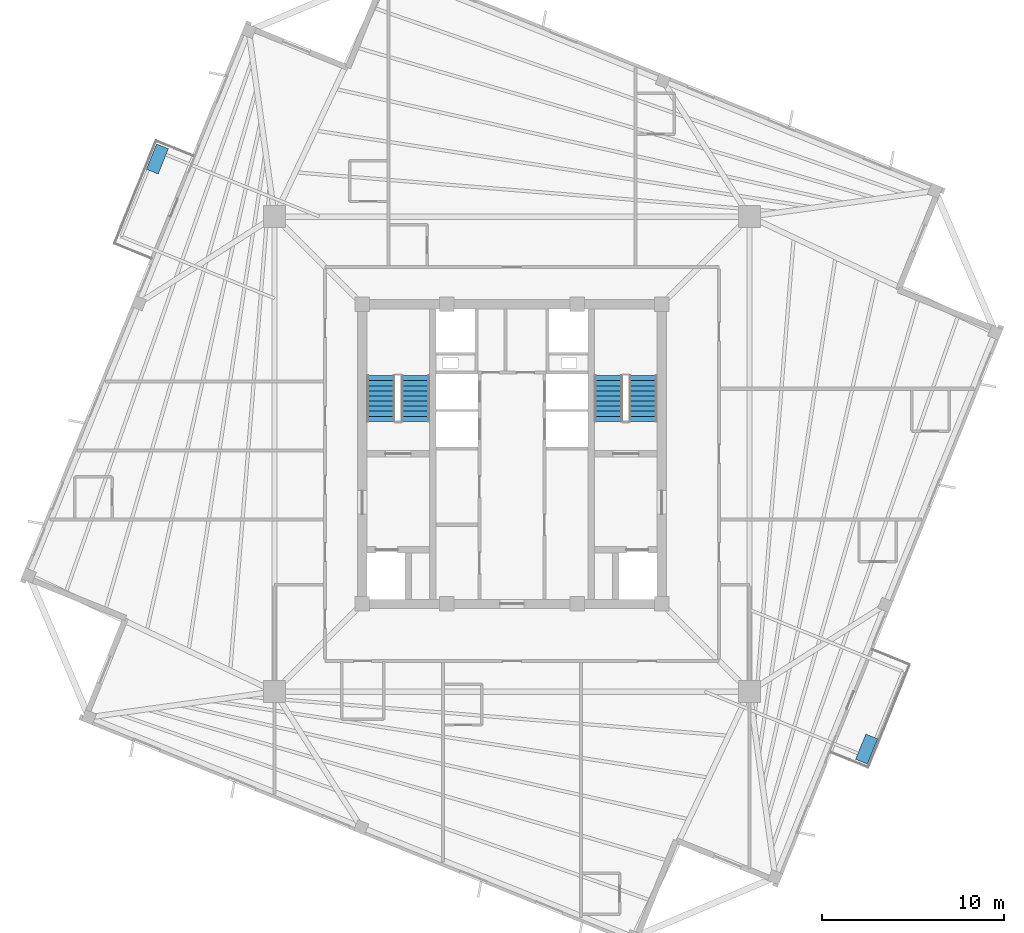
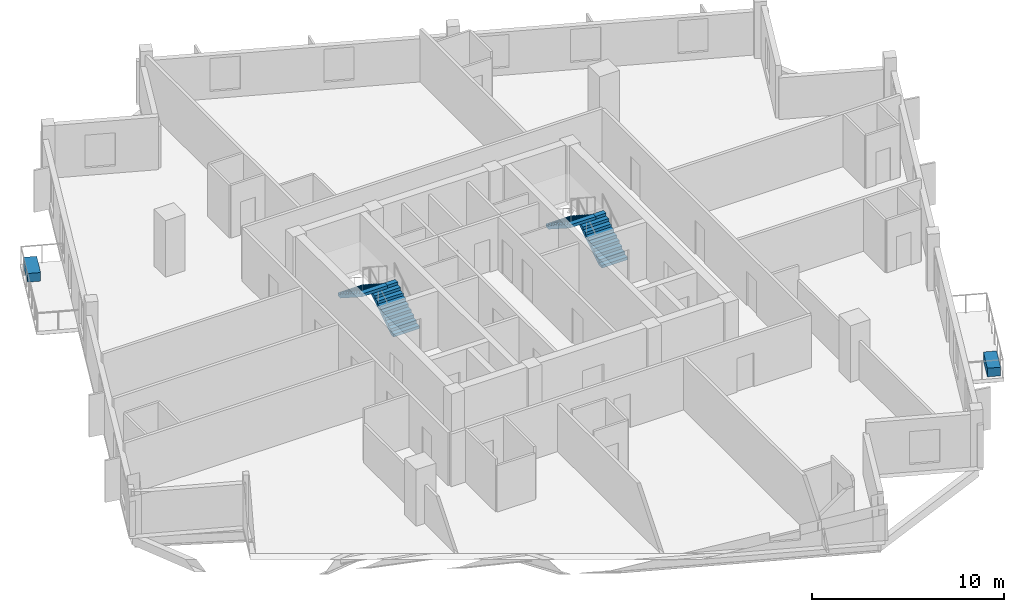
# One storey, part 6 of 9: 4 stair flights, 2 discrete accessories, 2 elements without a shape of their own.
"""IFC4 building model written with IfcOpenShell, lengths in metres."""

from ifc_helpers import new_model, si_unit, direction, frame, origin, origin_2d, place, context, subcontext, project, spatial, polyline, rectangle, outline, extrude, source, transform, mapped, material, type_object, element, aggregate, save


model = new_model("IFC4")

# Units and contexts
model_context = context("Model", 3, precision=1e-05, world=origin(), true_north=direction((0.0, 1.0)))
body_context = subcontext(model_context, "Body", "Model", "MODEL_VIEW")
ifc_project = project(units=[si_unit("LENGTHUNIT", "METRE"), si_unit("AREAUNIT", "SQUARE_METRE"), si_unit("VOLUMEUNIT", "CUBIC_METRE"), si_unit("PLANEANGLEUNIT", "RADIAN"), si_unit("MASSUNIT", "GRAM", prefix="KILO"), si_unit("THERMODYNAMICTEMPERATUREUNIT", "KELVIN")], contexts=[model_context])

# Site, building, storey
site_placement = place(None, origin())
site = spatial("IfcSite", under=ifc_project, at=site_placement, CompositionType="ELEMENT")
building_placement = place(site_placement, origin())
building = spatial("IfcBuilding", under=site, at=building_placement, Name="Kosmvard Interchange Tower", CompositionType="ELEMENT")
storey_placement = place(building_placement, frame((0.0, 0.0, 272.39990234375)))
storey = spatial("IfcBuildingStorey", under=building, at=storey_placement, Name="L66", CompositionType="ELEMENT", Elevation=272.39990234375)

# Stair, stair flights
ifc_material_1 = material(Name="Concrete C50/60", Category="concrete")
stair_type = type_object("IfcStairType", Name="Dog-Leg Core Exit Stair H3600 C50/60", PredefinedType="HALF_TURN_STAIR", material=ifc_material_1)
stair_1_placement = place(storey_placement, origin())
stair_1 = element("IfcStair", 1, at=stair_1_placement, inside=storey, type_object=stair_type, Name="L66 Protected Exit Stair ST-1", PredefinedType="HALF_TURN_STAIR")
stair_flight_type = type_object("IfcStairFlightType", Name="Core Stair Flight W1550 H3600 C50/60", PredefinedType="STRAIGHT", material=ifc_material_1)
shared_shape_1 = source(origin(), body_context, "Body", "SweptSolid", [
    extrude(outline(polyline([(0.0, 0.0), (0.0, 0.179931640625), (0.280029296875, 0.179931640625), (0.280029296875, 0.360107421875), (0.56005859375, 0.360107421875), (0.56005859375, 0.5400390625), (0.840087890625, 0.5400390625), (0.840087890625, 0.719970703125), (1.1201171875, 0.719970703125), (1.1201171875, 0.89990234375), (1.39990234375, 0.89990234375), (1.39990234375, 1.080078125), (1.679931640625, 1.080078125), (1.679931640625, 1.260009765625), (1.9599609375, 1.260009765625), (1.9599609375, 1.43994140625), (2.239990234375, 1.43994140625), (2.239990234375, 1.6201171875), (2.52001953125, 1.6201171875), (2.52001953125, 1.800048828125), (2.52001953125, 1.429931640625), (0.295654296875, 0.0), (0.0, 0.0)])), frame((0.0, 0.77490234375, 0.0), z_axis=(0.0, -1.0, 0.0), x_axis=(1.0, 0.0, 0.0)), (0.0, 0.0, 1.0), 1.550048828125),
])
stair_flight_1_placement = place(storey_placement, frame((-5.31494140625, 1.800048828125, 0.0), z_axis=(0.0, 0.0, 1.0), x_axis=(0.0, 1.0, 0.0)))
stair_flight_1 = element("IfcStairFlight", 2, at=stair_flight_1_placement, type_object=stair_flight_type, Name="ST-1 flight 1", NumberOfRisers=10, NumberOfTreads=9, PredefinedType="STRAIGHT", RiserHeight=0.18, TreadLength=0.28, context=body_context, shape_type="MappedRepresentation", body=[
    mapped(shared_shape_1, transform((0.0, 0.0, 0.0), scale=1.0)),
])
stair_flight_2_placement = place(storey_placement, frame((-7.22509765625, 4.320068359375, 1.800048828125), z_axis=(0.0, 0.0, 1.0), x_axis=(0.0, -1.0, 0.0)))
stair_flight_2 = element("IfcStairFlight", 3, at=stair_flight_2_placement, type_object=stair_flight_type, Name="ST-1 flight 2", NumberOfRisers=10, NumberOfTreads=9, PredefinedType="STRAIGHT", RiserHeight=0.18, TreadLength=0.28, context=body_context, shape_type="MappedRepresentation", body=[
    mapped(shared_shape_1, transform((0.0, 0.0, 0.0), scale=1.0)),
])
aggregate(stair_1, [stair_flight_1, stair_flight_2])

stair_2_placement = place(storey_placement, origin())
stair_2 = element("IfcStair", 4, at=stair_2_placement, inside=storey, type_object=stair_type, Name="L66 Protected Exit Stair ST-2", PredefinedType="HALF_TURN_STAIR")
stair_flight_3_placement = place(storey_placement, frame((7.22509765625, 1.800048828125, 0.0), z_axis=(0.0, 0.0, 1.0), x_axis=(0.0, 1.0, 0.0)))
stair_flight_3 = element("IfcStairFlight", 5, at=stair_flight_3_placement, type_object=stair_flight_type, Name="ST-2 flight 1", NumberOfRisers=10, NumberOfTreads=9, PredefinedType="STRAIGHT", RiserHeight=0.18, TreadLength=0.28, context=body_context, shape_type="MappedRepresentation", body=[
    mapped(shared_shape_1, transform((0.0, 0.0, 0.0), scale=1.0)),
])
stair_flight_4_placement = place(storey_placement, frame((5.31494140625, 4.320068359375, 1.800048828125), z_axis=(0.0, 0.0, 1.0), x_axis=(0.0, -1.0, 0.0)))
stair_flight_4 = element("IfcStairFlight", 6, at=stair_flight_4_placement, type_object=stair_flight_type, Name="ST-2 flight 2", NumberOfRisers=10, NumberOfTreads=9, PredefinedType="STRAIGHT", RiserHeight=0.18, TreadLength=0.28, context=body_context, shape_type="MappedRepresentation", body=[
    mapped(shared_shape_1, transform((0.0, 0.0, 0.0), scale=1.0)),
])
aggregate(stair_2, [stair_flight_3, stair_flight_4])

# Discrete accessories
ifc_material_2 = material(Name="Terracotta precast planter concrete C45/55", Category="masonry")
discrete_accessory_type = type_object("IfcDiscreteAccessoryType", Name="Precast Tree-Balcony & Terrace Planter Box", PredefinedType="USERDEFINED", material=ifc_material_2)
shared_shape_2 = source(origin(), body_context, "Body", "SweptSolid", [
    extrude(rectangle(XDim=1.5, YDim=0.699951171875, at=origin_2d()), origin(), (0.0, 0.0, 1.0), 0.550048828125),
])
for number, where, z_axis, x_axis, name in (
    (7, (19.53466796875, -16.251220703125, 0.0), (0.0, 0.0, 1.0), (0.374606593416, 0.927183854567, 0.0), "L66 Balcony Tree Planter BAL-L66-S"),
    (8, (-19.53466796875, 16.251220703125, 0.0), (0.0, 0.0, 1.0), (0.374606593416, 0.927183854567, 0.0), "L66 Balcony Tree Planter BAL-L66-N"),
):
    element("IfcDiscreteAccessory", number, at=place(storey_placement, frame(where, z_axis=z_axis, x_axis=x_axis)), inside=storey, type_object=discrete_accessory_type, Name=name, ObjectType="PLANTER", PredefinedType="USERDEFINED", context=body_context, shape_type="MappedRepresentation", body=[
        mapped(shared_shape_2, transform((0.0, 0.0, 0.0), scale=1.0)),
    ])

save(model, "model.ifc")
